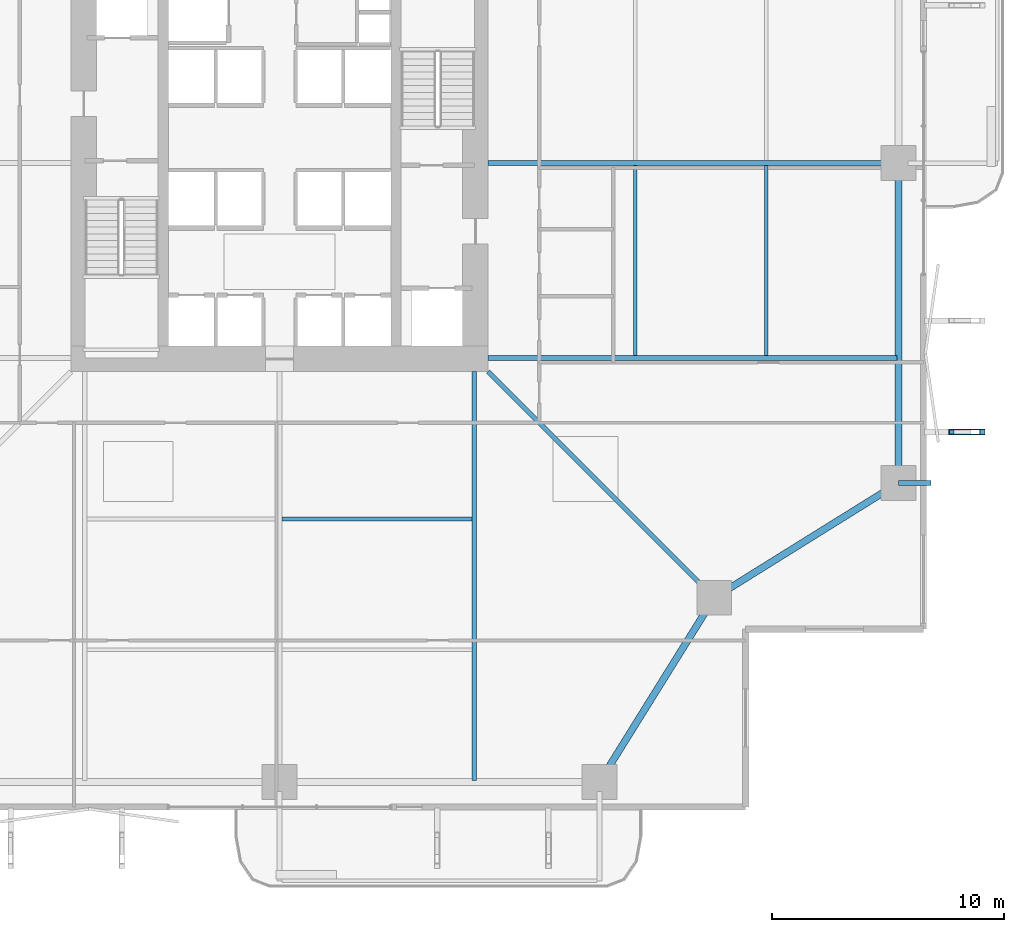
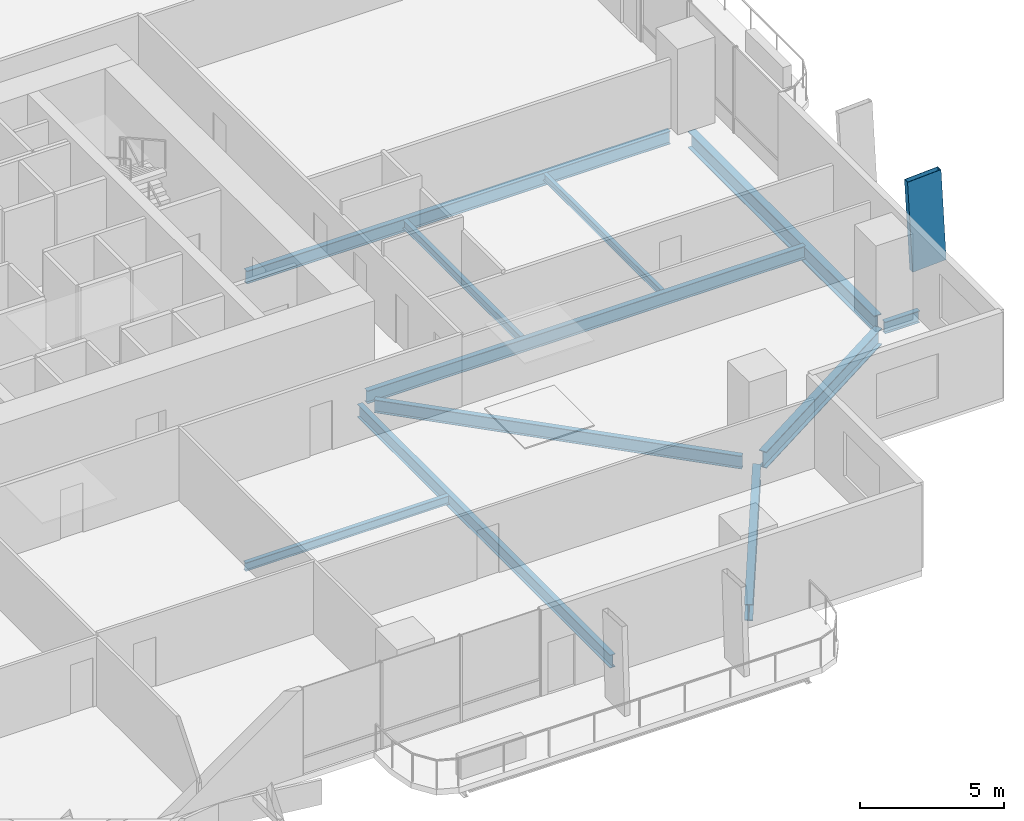
# One storey, part 7 of 24: 11 beams, 1 member.
"""IFC4 building model written with IfcOpenShell, lengths in metres."""

from ifc_helpers import new_model, si_unit, direction, frame, origin, origin_2d, place, context, subcontext, project, spatial, hollow_rectangle, i_section, extrude, material, material_profile, profile_set, type_object, element, save


model = new_model("IFC4")

# Units and contexts
model_context = context("Model", 3, precision=1e-05, world=origin(), true_north=direction((0.0, 1.0)))
body_context = subcontext(model_context, "Body", "Model", "MODEL_VIEW")
ifc_project = project(units=[si_unit("LENGTHUNIT", "METRE"), si_unit("AREAUNIT", "SQUARE_METRE"), si_unit("VOLUMEUNIT", "CUBIC_METRE"), si_unit("PLANEANGLEUNIT", "RADIAN"), si_unit("MASSUNIT", "GRAM", prefix="KILO")], contexts=[model_context])

# Site, building, storey
site_placement = place(None, origin())
site = spatial("IfcSite", under=ifc_project, at=site_placement, CompositionType="ELEMENT")
building_placement = place(site_placement, origin())
building = spatial("IfcBuilding", under=site, at=building_placement, Name="Belovzor Exchange Tower", CompositionType="ELEMENT")
storey_placement = place(building_placement, frame((0.0, 0.0, 61.199951171875)))
storey = spatial("IfcBuildingStorey", under=building, at=storey_placement, Name="L14", CompositionType="ELEMENT", Elevation=61.199951171875)

# Member
ifc_material_1 = material(Name="Extruded Architectural Terracotta on Steel S355 Carrier", Category="masonry")
ifc_material_profile_1 = material_profile(ifc_material_1, hollow_rectangle(XDim=0.219970703125, YDim=1.35009765625, WallThickness=0.013916015625, at=origin_2d()))
ifc_profile_set_1 = profile_set([ifc_material_profile_1], Name="Extruded Architectural Terracotta on Steel S355 Carrier")
member_type = type_object("IfcMemberType", Name="Base Arc Sweeping Terracotta Pylon Fin 1450", PredefinedType="USERDEFINED", material=ifc_profile_set_1)
member_placement = place(storey_placement, frame((58.549072265625, 17.199951171875, -0.25), z_axis=(-0.053756276307, 0.0, 0.998554086045), x_axis=(0.0, -1.0, 0.0)))
element("IfcMember", 1, at=member_placement, inside=storey, type_object=member_type, Name="FIN-TC145 Terracotta Facade Fin L14 E1", ObjectType="FIN", PredefinedType="USERDEFINED", context=body_context, shape_type="SweptSolid", body=[
    extrude(hollow_rectangle(XDim=0.219970703125, YDim=1.35009765625, WallThickness=0.013916015625, at=origin_2d()), origin(), (0.0, 0.0, 1.0), 3.90576171875),
])

# Beams
ifc_material_2 = material(Name="Steel S355", Category="steel")
ifc_material_profile_2 = material_profile(ifc_material_2, i_section(OverallWidth=0.199951171875, OverallDepth=0.5, WebThickness=0.01025390625, FlangeThickness=0.01611328125, at=origin_2d()))
ifc_profile_set_2 = profile_set([ifc_material_profile_2], Name="Steel S355")
beam_type_1 = type_object("IfcBeamType", Name="Planted Balcony Cantilever Beam IPE 500", PredefinedType="BEAM", material=ifc_profile_set_2)
beam_1_placement = place(storey_placement, frame((55.5, 15.0, -0.5), z_axis=(1.0, 0.0, 0.0), x_axis=(0.0, 1.0, 0.0)))
element("IfcBeam", 2, at=beam_1_placement, inside=storey, type_object=beam_type_1, Name="BC-500 Planted Balcony Cantilever Beam IPE 500", PredefinedType="BEAM", context=body_context, shape_type="SweptSolid", body=[
    extrude(i_section(OverallWidth=0.199951171875, OverallDepth=0.5, WebThickness=0.01025390625, FlangeThickness=0.01611328125, at=origin_2d()), origin(), (0.0, 0.0, 1.0), 1.39990234375),
])
ifc_material_3 = material(Name="Steel S355", Category="steel")
ifc_material_profile_3 = material_profile(ifc_material_3, i_section(OverallWidth=0.169921875, OverallDepth=0.360107421875, WebThickness=0.008056640625, FlangeThickness=0.0126953125, at=origin_2d()))
ifc_profile_set_3 = profile_set([ifc_material_profile_3], Name="Steel S355")
beam_type_2 = type_object("IfcBeamType", Name="Secondary Infill Floor Joist IPE 360", PredefinedType="BEAM", material=ifc_profile_set_3)
beam_2_placement = place(storey_placement, frame((28.905029296875, 13.455078125, -0.429931640625), z_axis=(1.0, 0.0, 0.0), x_axis=(0.0, 1.0, 0.0)))
element("IfcBeam", 3, at=beam_2_placement, inside=storey, type_object=beam_type_2, Name="FJ-360 Secondary Infill Floor Joist IPE 360", PredefinedType="BEAM", context=body_context, shape_type="SweptSolid", body=[
    extrude(i_section(OverallWidth=0.169921875, OverallDepth=0.360107421875, WebThickness=0.008056640625, FlangeThickness=0.0126953125, at=origin_2d()), origin(), (0.0, 0.0, 1.0), 8.18994140625),
])
beam_3_placement = place(storey_placement, frame((44.14501953125, 20.5048828125, -0.429931640625), z_axis=(0.0, 1.0, 0.0), x_axis=(-1.0, 0.0, 0.0)))
element("IfcBeam", 4, at=beam_3_placement, inside=storey, type_object=beam_type_2, Name="FJ-360 Secondary Infill Floor Joist IPE 360", PredefinedType="BEAM", context=body_context, shape_type="SweptSolid", body=[
    extrude(i_section(OverallWidth=0.169921875, OverallDepth=0.360107421875, WebThickness=0.008056640625, FlangeThickness=0.0126953125, at=origin_2d()), origin(), (0.0, 0.0, 1.0), 8.190185546875),
])
ifc_material_4 = material(Name="Steel S355", Category="steel")
ifc_material_profile_4 = material_profile(ifc_material_4, i_section(OverallWidth=0.14990234375, OverallDepth=0.300048828125, WebThickness=0.007080078125, FlangeThickness=0.0107421875, at=origin_2d()))
ifc_profile_set_4 = profile_set([ifc_material_profile_4], Name="Steel S355")
beam_type_3 = type_object("IfcBeamType", Name="Secondary Trim Floor Joist IPE 300", PredefinedType="BEAM", material=ifc_profile_set_4)
beam_4_placement = place(storey_placement, frame((49.784912109375, 20.5048828125, -0.39990234375), z_axis=(0.0, 1.0, 0.0), x_axis=(-1.0, 0.0, 0.0)))
element("IfcBeam", 5, at=beam_4_placement, inside=storey, type_object=beam_type_3, Name="FJ-300 Secondary Trim Floor Joist IPE 300", PredefinedType="BEAM", context=body_context, shape_type="SweptSolid", body=[
    extrude(i_section(OverallWidth=0.14990234375, OverallDepth=0.300048828125, WebThickness=0.007080078125, FlangeThickness=0.0107421875, at=origin_2d()), origin(), (0.0, 0.0, 1.0), 8.190185546875),
])
ifc_material_5 = material(Name="Steel S355", Category="steel")
ifc_material_profile_5 = material_profile(ifc_material_5, i_section(OverallWidth=0.300048828125, OverallDepth=0.699951171875, WebThickness=0.01708984375, FlangeThickness=0.031982421875, at=origin_2d()))
ifc_profile_set_5 = profile_set([ifc_material_profile_5], Name="Steel S355")
beam_type_4 = type_object("IfcBeamType", Name="Zone 1 Primary Perimeter Girder HEB 700", PredefinedType="BEAM", material=ifc_profile_set_5)
for number, where, z_axis, x_axis, name in (
    (6, (42.818115234375, 2.449951171875, -0.599853515625), (0.528538629686, 0.848909251292, 0.0), (-0.848909251292, 0.528538629686, 0.0), "FG-Z1 Zone 1 Primary Perimeter Girder HEB 700"),
    (7, (47.89990234375, 10.26806640625, -0.599853515625), (0.848909251292, 0.528538629686, 0.0), (-0.528538629686, 0.848909251292, 0.0), "FG-Z1 Zone 1 Primary Perimeter Girder HEB 700"),
):
    element("IfcBeam", number, at=place(storey_placement, frame(where, z_axis=z_axis, x_axis=x_axis)), inside=storey, type_object=beam_type_4, Name=name, PredefinedType="BEAM", context=body_context, shape_type="SweptSolid", body=[
        extrude(i_section(OverallWidth=0.300048828125, OverallDepth=0.699951171875, WebThickness=0.01708984375, FlangeThickness=0.031982421875, at=origin_2d()), origin(), (0.0, 0.0, 1.0), 8.540283203125),
    ])
beam_5_placement = place(storey_placement, frame((55.5, 15.412109375, -0.599853515625), z_axis=(0.0, 1.0, 0.0), x_axis=(-1.0, 0.0, 0.0)))
element("IfcBeam", 8, at=beam_5_placement, inside=storey, type_object=beam_type_4, Name="FG-Z1 Zone 1 Primary Perimeter Girder HEB 700", PredefinedType="BEAM", context=body_context, shape_type="SweptSolid", body=[
    extrude(i_section(OverallWidth=0.300048828125, OverallDepth=0.699951171875, WebThickness=0.01708984375, FlangeThickness=0.031982421875, at=origin_2d()), origin(), (0.0, 0.0, 1.0), 12.974853515625),
])
ifc_material_6 = material(Name="Steel S355", Category="steel")
ifc_material_profile_6 = material_profile(ifc_material_6, i_section(OverallWidth=0.2099609375, OverallDepth=0.550048828125, WebThickness=0.010986328125, FlangeThickness=0.01708984375, at=origin_2d()))
ifc_profile_set_6 = profile_set([ifc_material_profile_6], Name="Steel S355")
beam_type_5 = type_object("IfcBeamType", Name="Zone 1 Radial Composite Floor Beam IPE 550", PredefinedType="BEAM", material=ifc_profile_set_6)
for number, where, z_axis, x_axis, name in (
    (9, (37.199951171875, 19.800048828125, -0.52490234375), (0.0, -1.0, 0.0), (1.0, 0.0, 0.0), "FB-550 Zone 1 Radial Composite Floor Beam IPE 550"),
    (10, (37.800048828125, 20.39990234375, -0.52490234375), (1.0, 0.0, 0.0), (0.0, 1.0, 0.0), "FB-550 Zone 1 Radial Composite Floor Beam IPE 550"),
):
    element("IfcBeam", number, at=place(storey_placement, frame(where, z_axis=z_axis, x_axis=x_axis)), inside=storey, type_object=beam_type_5, Name=name, PredefinedType="BEAM", context=body_context, shape_type="SweptSolid", body=[
        extrude(i_section(OverallWidth=0.2099609375, OverallDepth=0.550048828125, WebThickness=0.010986328125, FlangeThickness=0.01708984375, at=origin_2d()), origin(), (0.0, 0.0, 1.0), 17.625),
    ])
beam_6_placement = place(storey_placement, frame((37.800048828125, 28.800048828125, -0.52490234375), z_axis=(1.0, 0.0, 0.0), x_axis=(0.0, 1.0, 0.0)))
element("IfcBeam", 11, at=beam_6_placement, inside=storey, type_object=beam_type_5, Name="FB-550 Zone 1 Radial Composite Floor Beam IPE 550", PredefinedType="BEAM", context=body_context, shape_type="SweptSolid", body=[
    extrude(i_section(OverallWidth=0.2099609375, OverallDepth=0.550048828125, WebThickness=0.010986328125, FlangeThickness=0.01708984375, at=origin_2d()), origin(), (0.0, 0.0, 1.0), 17.0400390625),
])
beam_7_placement = place(storey_placement, frame((37.800048828125, 19.800048828125, -0.52490234375), z_axis=(0.707106781187, -0.707106781187, 0.0), x_axis=(0.707106781187, 0.707106781187, 0.0)))
element("IfcBeam", 12, at=beam_7_placement, inside=storey, type_object=beam_type_5, Name="FB-550 Zone 1 Radial Composite Floor Beam IPE 550", PredefinedType="BEAM", context=body_context, shape_type="SweptSolid", body=[
    extrude(i_section(OverallWidth=0.2099609375, OverallDepth=0.550048828125, WebThickness=0.010986328125, FlangeThickness=0.01708984375, at=origin_2d()), origin(), (0.0, 0.0, 1.0), 13.25830078125),
])

save(model, "model.ifc")
